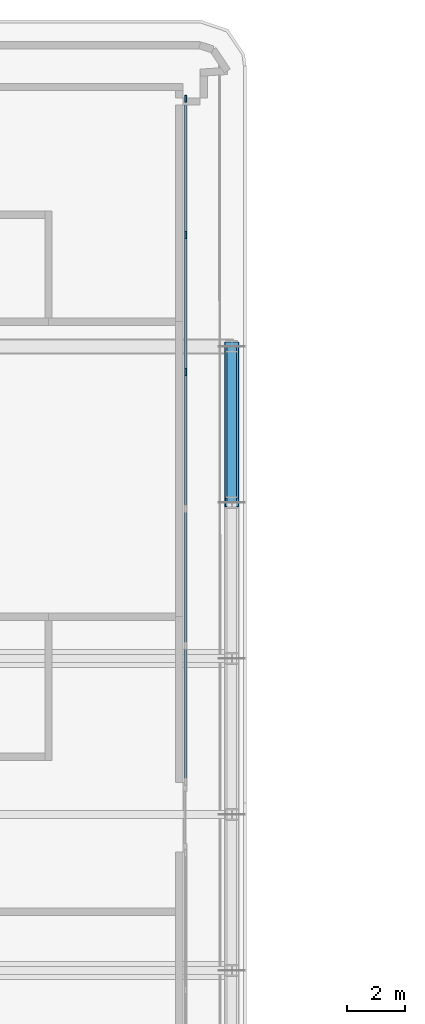
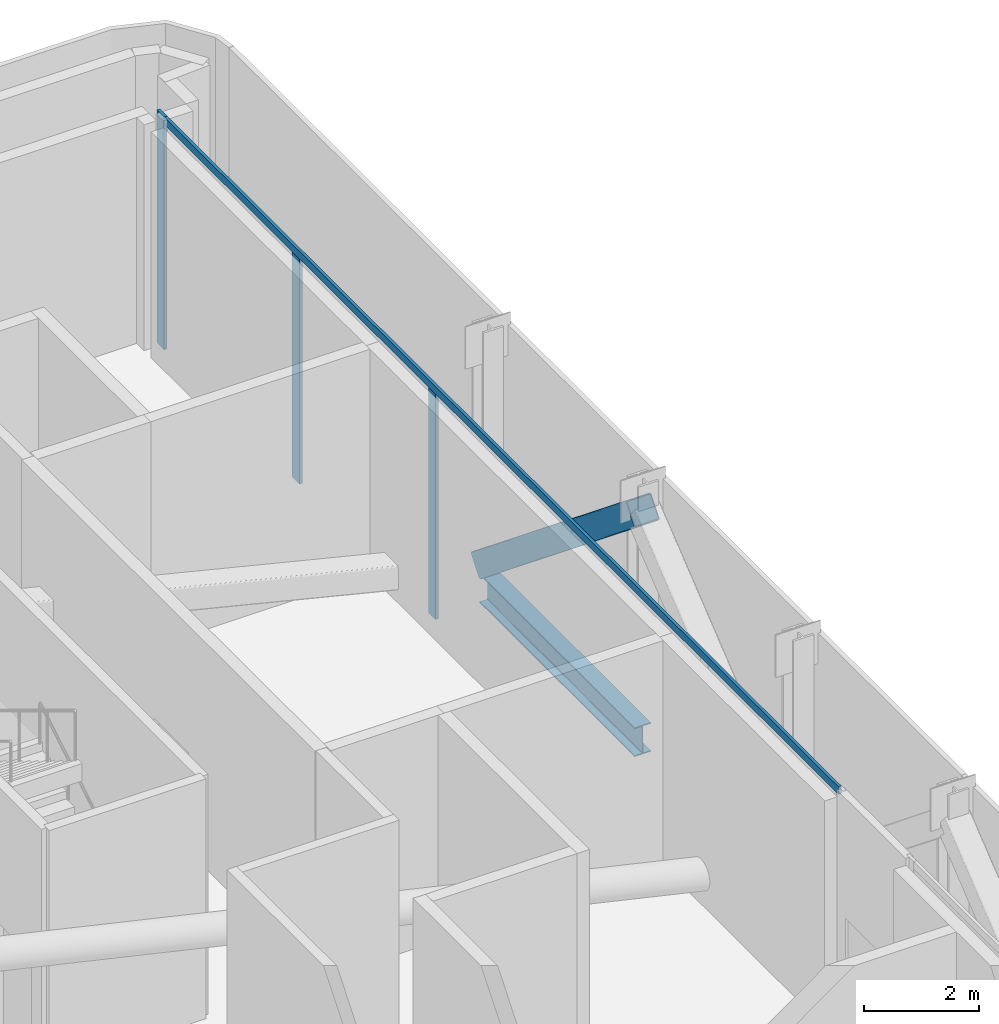
# One storey, part 7 of 23: 5 members, 1 beam, 1 element without a shape of its own.
"""IFC4 building model written with IfcOpenShell, lengths in metres."""

import ifcopenshell
import ifcopenshell.guid

model = None  # the IFC model being written
_history = None  # IfcOwnerHistory: only IFC2X3 demands one
_inside = {}  # id of a spatial element -> (the spatial element, [elements in it])
_under = {}  # id of a project, library or spatial element -> (it, [spatial elements below it])
_declared = {}  # id of a project -> (the project, [libraries it declares])
_typed = {}  # id of a type object -> (the type object, [elements of that type])
_made_of = {}  # id of a material, layer set ... -> (it, [elements and type objects made of it])


def new_model(schema):
    """Start an empty IFC model of exactly this schema.

    Asked for "IFC4X3", IfcOpenShell would pick the latest addendum, in which some entities
    have other attributes; the version numbers below select the first issue.
    IFC2X3 requires an IfcOwnerHistory on every rooted entity: one is made here for all.
    """
    global model, _history
    if schema == "IFC4X3":
        model = ifcopenshell.file(schema_version=(4, 3, 0, 0))
    else:
        model = ifcopenshell.file(schema=schema)
    _inside.clear()
    _under.clear()
    _declared.clear()
    _typed.clear()
    _made_of.clear()
    _history = None
    if model.schema == "IFC2X3":
        org = make("IfcOrganization", Name="unknown")
        user = make(
            "IfcPersonAndOrganization",
            ThePerson=make("IfcPerson", FamilyName="unknown"),
            TheOrganization=org,
        )
        app = make(
            "IfcApplication",
            ApplicationDeveloper=org,
            Version="unknown",
            ApplicationFullName="unknown",
            ApplicationIdentifier="unknown",
        )
        _history = make(
            "IfcOwnerHistory",
            OwningUser=user,
            OwningApplication=app,
            ChangeAction="ADDED",
            CreationDate=0,
        )
    return model


def make(cls, **values):
    """One entity of the class cls with the attributes given. An attribute that is None is left unset."""
    return model.create_entity(
        cls, **{name: value for name, value in values.items() if value is not None}
    )


def rooted(cls, **values):
    """An entity with a GlobalId (a new one), such as an element, a storey or a relation."""
    return make(cls, GlobalId=ifcopenshell.guid.new(), OwnerHistory=_history, **values)


def si_unit(unit_type, name, prefix=None):
    """IfcSIUnit, for example si_unit("LENGTHUNIT", "METRE", prefix="MILLI")."""
    return make("IfcSIUnit", UnitType=unit_type, Prefix=prefix, Name=name)


def assignment(units):
    """IfcUnitAssignment: the units of a project."""
    return None if units is None else make("IfcUnitAssignment", Units=units)


def point(xyz):
    """IfcCartesianPoint."""
    return None if xyz is None else make("IfcCartesianPoint", Coordinates=xyz)


def direction(xyz):
    """IfcDirection."""
    return None if xyz is None else make("IfcDirection", DirectionRatios=xyz)


def frame(location, z_axis=None, x_axis=None):
    """IfcAxis2Placement3D, a coordinate frame: its origin and axes. An axis left out is left unset."""
    return make(
        "IfcAxis2Placement3D",
        Location=point(location),
        Axis=direction(z_axis),
        RefDirection=direction(x_axis),
    )


def frame_2d(location, x_axis=None):
    """IfcAxis2Placement2D, a coordinate frame in the plane: its origin and x axis."""
    return make(
        "IfcAxis2Placement2D", Location=point(location), RefDirection=direction(x_axis)
    )


def origin():
    """The frame at (0, 0, 0) with its axes left unset."""
    return frame((0.0, 0.0, 0.0))


def origin_2d():
    """The frame at (0, 0) in the plane with its x axis left unset."""
    return frame_2d((0.0, 0.0))


def place(relative_to, where):
    """IfcLocalPlacement: puts the frame where relative to a parent placement (None: the world)."""
    return make(
        "IfcLocalPlacement", PlacementRelTo=relative_to, RelativePlacement=where
    )


def context(
    kind, dimensions, precision=None, world=None, true_north=None, identifier=None
):
    """IfcGeometricRepresentationContext, for example the 3D "Model" context."""
    return make(
        "IfcGeometricRepresentationContext",
        ContextIdentifier=identifier,
        ContextType=kind,
        CoordinateSpaceDimension=dimensions,
        Precision=precision,
        WorldCoordinateSystem=world,
        TrueNorth=true_north,
    )


def subcontext(parent, identifier, kind, view, scale=None):
    """IfcGeometricRepresentationSubContext, for example "Body" below "Model"."""
    return make(
        "IfcGeometricRepresentationSubContext",
        ContextIdentifier=identifier,
        ContextType=kind,
        ParentContext=parent,
        TargetScale=scale,
        TargetView=view,
    )


def project(units=None, contexts=None):
    """IfcProject with its units and contexts."""
    return rooted(
        "IfcProject",
        Name="project",
        RepresentationContexts=contexts,
        UnitsInContext=assignment(units),
    )


def spatial(cls, under=None, at=None, **own):
    """A site, building, storey or space (cls), placed at a placement, below another one or the project."""
    s = rooted(cls, ObjectPlacement=at, **own)
    if under is not None:
        _under.setdefault(under.id(), (under, []))[1].append(s)
    return s


def profile(cls, at=None, kind="AREA", **sizes):
    """A parametric profile (cls). Its sizes go by their IFC names, for example OverallWidth=200.0."""
    return make(cls, ProfileType=kind, Position=at, **sizes)


def rectangle(**sizes):
    """IfcRectangleProfileDef."""
    return profile("IfcRectangleProfileDef", **sizes)


def hollow_rectangle(**sizes):
    """IfcRectangleHollowProfileDef."""
    return profile("IfcRectangleHollowProfileDef", **sizes)


def i_section(**sizes):
    """IfcIShapeProfileDef."""
    return profile("IfcIShapeProfileDef", **sizes)


def extrude(swept, where, along, depth):
    """IfcExtrudedAreaSolid: the profile swept, set in the frame where, extruded along a direction by depth."""
    return make(
        "IfcExtrudedAreaSolid",
        SweptArea=swept,
        Position=where,
        ExtrudedDirection=direction(along),
        Depth=depth,
    )


def shape(context_of_items, identifier, shape_type, items):
    """IfcShapeRepresentation: the items that make up one representation, for example the "Body"."""
    return make(
        "IfcShapeRepresentation",
        ContextOfItems=context_of_items,
        RepresentationIdentifier=identifier,
        RepresentationType=shape_type,
        Items=items,
    )


def material(Name=None, Category=None):
    """IfcMaterial."""
    return make("IfcMaterial", Name=Name, Category=Category)


def layer(
    of_material, thickness, ventilated=None, Name=None, Category=None, Priority=None
):
    """IfcMaterialLayer: one layer of a wall or slab, of a material (None: an air gap)."""
    return make(
        "IfcMaterialLayer",
        Material=of_material,
        LayerThickness=thickness,
        IsVentilated=ventilated,
        Name=Name,
        Category=Category,
        Priority=Priority,
    )


def layer_set(layers, Name=None):
    """IfcMaterialLayerSet."""
    return make("IfcMaterialLayerSet", MaterialLayers=layers, LayerSetName=Name)


def material_profile(
    of_material, cross_section, Name=None, Category=None, Priority=None
):
    """IfcMaterialProfile: a cross section and its material."""
    return make(
        "IfcMaterialProfile",
        Name=Name,
        Material=of_material,
        Profile=cross_section,
        Priority=Priority,
        Category=Category,
    )


def profile_set(profiles, Name=None, composite=None):
    """IfcMaterialProfileSet."""
    return make(
        "IfcMaterialProfileSet",
        Name=Name,
        MaterialProfiles=profiles,
        CompositeProfile=composite,
    )


def made_of(thing, what):
    """Note that an element or type object is made of a material, layer set ...; save() writes the relation."""
    if what is not None:
        _made_of.setdefault(what.id(), (what, []))[1].append(thing)
    return thing


def type_object(cls, material=None, **own):
    """A type object (cls), such as IfcWallType, which elements share."""
    return made_of(rooted(cls, **own), material)


def element(
    cls,
    number,
    at=None,
    inside=None,
    cuts=None,
    type_object=None,
    material=None,
    context=None,
    identifier="Body",
    shape_type=None,
    held_by="IfcProductDefinitionShape",
    body=None,
    shapes=None,
    **own,
):
    """One element of the class cls, such as IfcWall. Its Tag is "e" and its number.

    at: its placement. inside: the storey or other place that contains it. cuts: it is an
    opening in that element (IfcRelVoidsElement). A single representation is given by context,
    identifier, shape_type and body (its items); several are given by shapes. held_by: the class
    of the entity that holds the representations. save() writes the other relations.
    """
    e = rooted(cls, Tag="e%d" % number, ObjectPlacement=at, **own)
    if body is not None:
        shapes = [shape(context, identifier, shape_type, body)]
    if shapes is not None:
        e.Representation = make(held_by, Representations=shapes)
    if inside is not None:
        _inside.setdefault(inside.id(), (inside, []))[1].append(e)
    if cuts is not None:
        rooted(
            "IfcRelVoidsElement", RelatingBuildingElement=cuts, RelatedOpeningElement=e
        )
    if type_object is not None:
        _typed.setdefault(type_object.id(), (type_object, []))[1].append(e)
    return made_of(e, material)


def aggregate(whole, parts):
    """IfcRelAggregates: a whole, such as a stair, and the parts it consists of."""
    return rooted("IfcRelAggregates", RelatingObject=whole, RelatedObjects=parts)


def save(model, path):
    """Write the relations noted so far, then the file.

    IfcRelAggregates (storeys below a building ...), IfcRelContainedInSpatialStructure (elements
    in a storey), IfcRelDefinesByType, IfcRelAssociatesMaterial and IfcRelDeclares: one each for
    every whole, place, type object, material and project.
    """
    for whole, parts in _under.values():
        aggregate(whole, parts)
    for where, things in _inside.values():
        rooted(
            "IfcRelContainedInSpatialStructure",
            RelatedElements=things,
            RelatingStructure=where,
        )
    for kind, things in _typed.values():
        rooted("IfcRelDefinesByType", RelatedObjects=things, RelatingType=kind)
    for what, things in _made_of.values():
        rooted("IfcRelAssociatesMaterial", RelatedObjects=things, RelatingMaterial=what)
    for by, libraries in _declared.values():
        rooted("IfcRelDeclares", RelatingContext=by, RelatedDefinitions=libraries)
    model.write(path)


model = new_model("IFC4")

# Units and contexts
model_context = context("Model", 3, precision=1e-05, world=origin(), true_north=direction((0.0, 1.0)))
body_context = subcontext(model_context, "Body", "Model", "MODEL_VIEW")
ifc_project = project(units=[si_unit("LENGTHUNIT", "METRE"), si_unit("AREAUNIT", "SQUARE_METRE"), si_unit("VOLUMEUNIT", "CUBIC_METRE"), si_unit("PLANEANGLEUNIT", "RADIAN"), si_unit("MASSUNIT", "GRAM", prefix="KILO")], contexts=[model_context])

# Site, building, storey
site_placement = place(None, origin())
site = spatial("IfcSite", under=ifc_project, at=site_placement, CompositionType="ELEMENT")
building_placement = place(site_placement, origin())
building = spatial("IfcBuilding", under=site, at=building_placement, Name="Kheshtan School and Residences Tower", CompositionType="ELEMENT")
storey_placement = place(building_placement, frame((0.0, 0.0, 211.10009765625)))
storey = spatial("IfcBuildingStorey", under=building, at=storey_placement, Name="L49", CompositionType="ELEMENT", Elevation=211.10009765625)

# Beam
ifc_material_1 = material(Name="Steel ASTM A992 Grade 50", Category="steel")
ifc_material_profile_1 = material_profile(ifc_material_1, i_section(OverallWidth=0.324951171875, OverallDepth=0.615966796875, WebThickness=0.013916015625, FlangeThickness=0.021484375, FilletRadius=0.0185546875, at=origin_2d()), Name="W610x174")
ifc_profile_set_1 = profile_set([ifc_material_profile_1], Name="Steel ASTM A992 Grade 50")
beam_type = type_object("IfcBeamType", Name="Beam SP5 W610x174 ASTM A992 Grade 50", PredefinedType="BEAM", material=ifc_profile_set_1)
beam_placement = place(storey_placement, frame((47.60009765625, 88.800048828125, -0.4580078125), z_axis=(0.0, -1.0, 0.0), x_axis=(1.0, 0.0, 0.0)))
element("IfcBeam", 1, at=beam_placement, inside=storey, type_object=beam_type, Name="Spandrel beam C099-C091", PredefinedType="BEAM", context=body_context, shape_type="SweptSolid", body=[
    extrude(i_section(OverallWidth=0.324951171875, OverallDepth=0.615966796875, WebThickness=0.013916015625, FlangeThickness=0.021484375, FilletRadius=0.0185546875, at=origin_2d()), origin(), (0.0, 0.0, 1.0), 5.400146484375),
])

# Curtain wall, members
ifc_material_2 = material(Name="Clear low-e glass in thermally broken aluminium frame", Category="aluminium")
ifc_layer = layer(ifc_material_2, 0.25)
ifc_layer_set = layer_set([ifc_layer], Name="Curtain wall CW-G")
curtain_wall_type = type_object("IfcCurtainWallType", Name="Curtain wall CW-G", PredefinedType="NOTDEFINED", material=ifc_layer_set)
curtain_wall_placement = place(storey_placement, origin())
curtain_wall = element("IfcCurtainWall", 2, at=curtain_wall_placement, inside=storey, type_object=curtain_wall_type, Name="Curtain wall CWG19", PredefinedType="NOTDEFINED")
ifc_material_3 = material(Name="Thermally broken aluminium, dark bronze anodised", Category="aluminium")
ifc_material_profile_2 = material_profile(ifc_material_3, rectangle(XDim=0.06005859375, YDim=0.25, at=origin_2d()), Name="CW-G mullion 60x250")
ifc_profile_set_2 = profile_set([ifc_material_profile_2], Name="Thermally broken aluminium, dark bronze anodised")
member_type_1 = type_object("IfcMemberType", Name="CW-G mullion 60x250", PredefinedType="MULLION", material=ifc_profile_set_2)
member_1_placement = place(storey_placement, frame((46.0, 97.3701171875, 0.0), z_axis=(0.0, 0.0, 1.0), x_axis=(1.0, 0.0, 0.0)))
member_1 = element("IfcMember", 3, at=member_1_placement, type_object=member_type_1, Name="CWG19 mullion 1", PredefinedType="MULLION", context=body_context, shape_type="SweptSolid", body=[
    extrude(rectangle(XDim=0.06005859375, YDim=0.25, at=origin_2d()), origin(), (0.0, 0.0, 1.0), 4.949951171875),
])
member_2_placement = place(storey_placement, frame((46.0, 92.659912109375, 0.0), z_axis=(0.0, 0.0, 1.0), x_axis=(1.0, 0.0, 0.0)))
member_2 = element("IfcMember", 4, at=member_2_placement, type_object=member_type_1, Name="CWG19 mullion 2", PredefinedType="MULLION", context=body_context, shape_type="SweptSolid", body=[
    extrude(rectangle(XDim=0.06005859375, YDim=0.25, at=origin_2d()), origin(), (0.0, 0.0, 1.0), 4.789794921875),
])
member_3_placement = place(storey_placement, frame((46.0, 87.919921875, 0.0), z_axis=(0.0, 0.0, 1.0), x_axis=(1.0, 0.0, 0.0)))
member_3 = element("IfcMember", 5, at=member_3_placement, type_object=member_type_1, Name="CWG19 mullion 3", PredefinedType="MULLION", context=body_context, shape_type="SweptSolid", body=[
    extrude(rectangle(XDim=0.06005859375, YDim=0.25, at=origin_2d()), origin(), (0.0, 0.0, 1.0), 4.789794921875),
])
ifc_material_profile_3 = material_profile(ifc_material_3, rectangle(XDim=0.06005859375, YDim=0.159912109375, at=origin_2d()), Name="CW-G transom 60x160")
ifc_profile_set_3 = profile_set([ifc_material_profile_3], Name="Thermally broken aluminium, dark bronze anodised")
member_type_2 = type_object("IfcMemberType", Name="CW-G transom 60x160", PredefinedType="USERDEFINED", material=ifc_profile_set_3)
member_4_placement = place(storey_placement, frame((46.0, 97.340087890625, 4.869873046875), z_axis=(0.0, -1.0, 0.0), x_axis=(1.0, 0.0, 0.0)))
member_4 = element("IfcMember", 6, at=member_4_placement, type_object=member_type_2, Name="CWG19 transom 1", ObjectType="TRANSOM", PredefinedType="USERDEFINED", context=body_context, shape_type="SweptSolid", body=[
    extrude(rectangle(XDim=0.06005859375, YDim=0.159912109375, at=origin_2d()), origin(), (0.0, 0.0, 1.0), 23.580078125),
])
aggregate(curtain_wall, [member_1, member_2, member_3, member_4])

# Member
ifc_material_4 = material(Name="Steel ASTM A500 Grade C", Category="steel")
ifc_material_profile_4 = material_profile(ifc_material_4, hollow_rectangle(XDim=0.508056640625, YDim=0.508056640625, WallThickness=0.01904296875, InnerFilletRadius=0.01904296875, OuterFilletRadius=0.0380859375, at=origin_2d()), Name="HSS 508x508x19")
ifc_profile_set_4 = profile_set([ifc_material_profile_4], Name="Steel ASTM A500 Grade C")
member_type_3 = type_object("IfcMemberType", Name="Member BT2 HSS 508x508x19 ASTM A500 Grade C", PredefinedType="BRACE", material=ifc_profile_set_4)
member_5_placement = place(storey_placement, frame((47.60009765625, 88.800048828125, 0.0498046875), z_axis=(0.0, -0.777551766021, 0.628818933523), x_axis=(1.0, 0.0, 0.0)))
element("IfcMember", 7, at=member_5_placement, inside=storey, type_object=member_type_3, Name="Belt truss diagonal C099-C091", PredefinedType="BRACE", context=body_context, shape_type="SweptSolid", body=[
    extrude(hollow_rectangle(XDim=0.508056640625, YDim=0.508056640625, WallThickness=0.01904296875, InnerFilletRadius=0.01904296875, OuterFilletRadius=0.0380859375, at=origin_2d()), origin(), (0.0, 0.0, 1.0), 6.945068359375),
])

save(model, "model.ifc")
